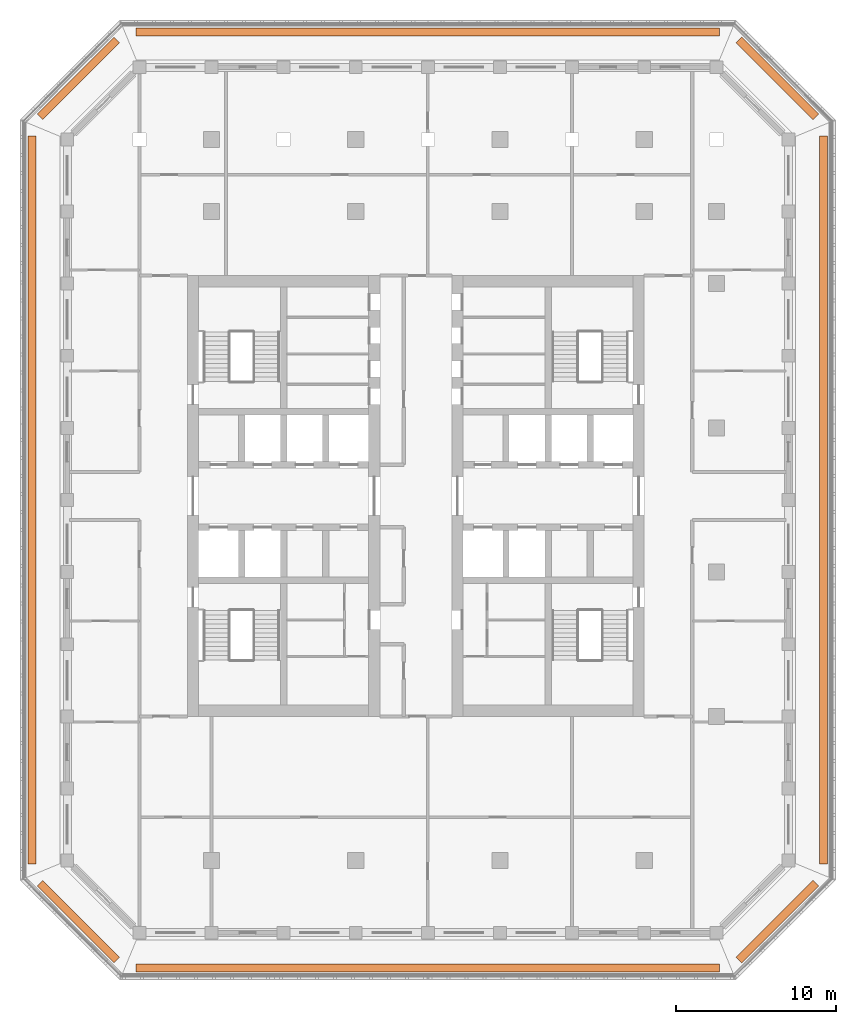
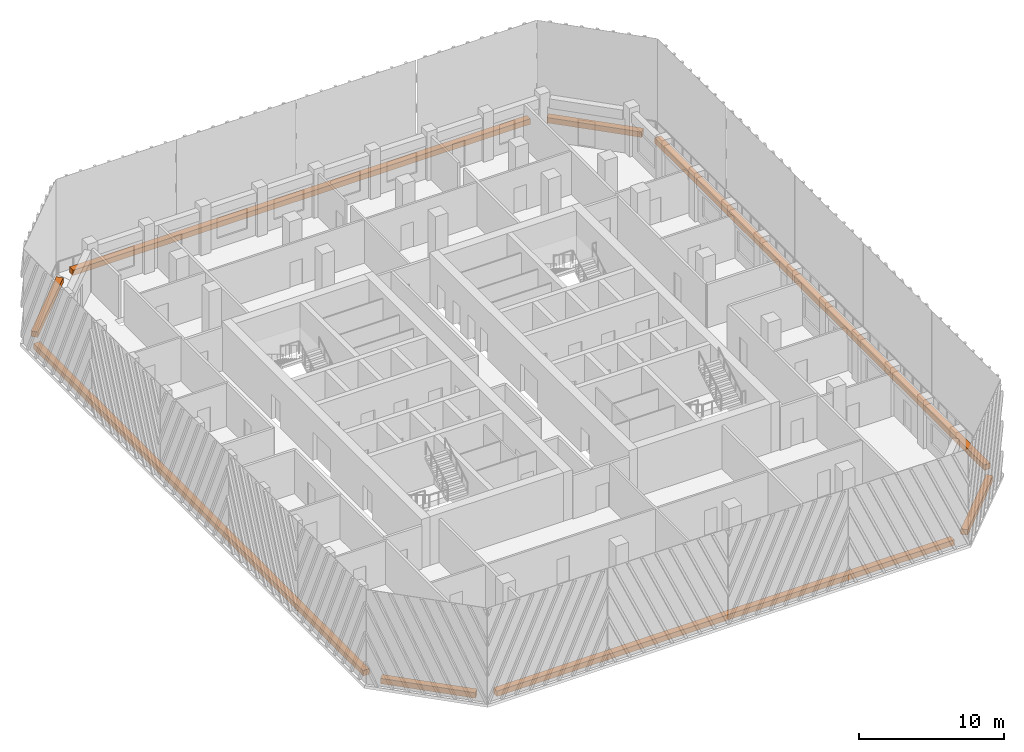
# One storey, part 17 of 17: 8 proxies.
"""IFC4 building model written with IfcOpenShell, lengths in metres."""

import ifcopenshell
import ifcopenshell.guid

model = None  # the IFC model being written
_history = None  # IfcOwnerHistory: only IFC2X3 demands one
_inside = {}  # id of a spatial element -> (the spatial element, [elements in it])
_under = {}  # id of a project, library or spatial element -> (it, [spatial elements below it])
_declared = {}  # id of a project -> (the project, [libraries it declares])
_typed = {}  # id of a type object -> (the type object, [elements of that type])
_made_of = {}  # id of a material, layer set ... -> (it, [elements and type objects made of it])


def new_model(schema):
    """Start an empty IFC model of exactly this schema.

    Asked for "IFC4X3", IfcOpenShell would pick the latest addendum, in which some entities
    have other attributes; the version numbers below select the first issue.
    IFC2X3 requires an IfcOwnerHistory on every rooted entity: one is made here for all.
    """
    global model, _history
    if schema == "IFC4X3":
        model = ifcopenshell.file(schema_version=(4, 3, 0, 0))
    else:
        model = ifcopenshell.file(schema=schema)
    _inside.clear()
    _under.clear()
    _declared.clear()
    _typed.clear()
    _made_of.clear()
    _history = None
    if model.schema == "IFC2X3":
        org = make("IfcOrganization", Name="unknown")
        user = make(
            "IfcPersonAndOrganization",
            ThePerson=make("IfcPerson", FamilyName="unknown"),
            TheOrganization=org,
        )
        app = make(
            "IfcApplication",
            ApplicationDeveloper=org,
            Version="unknown",
            ApplicationFullName="unknown",
            ApplicationIdentifier="unknown",
        )
        _history = make(
            "IfcOwnerHistory",
            OwningUser=user,
            OwningApplication=app,
            ChangeAction="ADDED",
            CreationDate=0,
        )
    return model


def make(cls, **values):
    """One entity of the class cls with the attributes given. An attribute that is None is left unset."""
    return model.create_entity(
        cls, **{name: value for name, value in values.items() if value is not None}
    )


def rooted(cls, **values):
    """An entity with a GlobalId (a new one), such as an element, a storey or a relation."""
    return make(cls, GlobalId=ifcopenshell.guid.new(), OwnerHistory=_history, **values)


def si_unit(unit_type, name, prefix=None):
    """IfcSIUnit, for example si_unit("LENGTHUNIT", "METRE", prefix="MILLI")."""
    return make("IfcSIUnit", UnitType=unit_type, Prefix=prefix, Name=name)


def assignment(units):
    """IfcUnitAssignment: the units of a project."""
    return None if units is None else make("IfcUnitAssignment", Units=units)


def point(xyz):
    """IfcCartesianPoint."""
    return None if xyz is None else make("IfcCartesianPoint", Coordinates=xyz)


def direction(xyz):
    """IfcDirection."""
    return None if xyz is None else make("IfcDirection", DirectionRatios=xyz)


def frame(location, z_axis=None, x_axis=None):
    """IfcAxis2Placement3D, a coordinate frame: its origin and axes. An axis left out is left unset."""
    return make(
        "IfcAxis2Placement3D",
        Location=point(location),
        Axis=direction(z_axis),
        RefDirection=direction(x_axis),
    )


def frame_2d(location, x_axis=None):
    """IfcAxis2Placement2D, a coordinate frame in the plane: its origin and x axis."""
    return make(
        "IfcAxis2Placement2D", Location=point(location), RefDirection=direction(x_axis)
    )


def origin():
    """The frame at (0, 0, 0) with its axes left unset."""
    return frame((0.0, 0.0, 0.0))


def origin_2d():
    """The frame at (0, 0) in the plane with its x axis left unset."""
    return frame_2d((0.0, 0.0))


def place(relative_to, where):
    """IfcLocalPlacement: puts the frame where relative to a parent placement (None: the world)."""
    return make(
        "IfcLocalPlacement", PlacementRelTo=relative_to, RelativePlacement=where
    )


def context(
    kind, dimensions, precision=None, world=None, true_north=None, identifier=None
):
    """IfcGeometricRepresentationContext, for example the 3D "Model" context."""
    return make(
        "IfcGeometricRepresentationContext",
        ContextIdentifier=identifier,
        ContextType=kind,
        CoordinateSpaceDimension=dimensions,
        Precision=precision,
        WorldCoordinateSystem=world,
        TrueNorth=true_north,
    )


def subcontext(parent, identifier, kind, view, scale=None):
    """IfcGeometricRepresentationSubContext, for example "Body" below "Model"."""
    return make(
        "IfcGeometricRepresentationSubContext",
        ContextIdentifier=identifier,
        ContextType=kind,
        ParentContext=parent,
        TargetScale=scale,
        TargetView=view,
    )


def project(units=None, contexts=None):
    """IfcProject with its units and contexts."""
    return rooted(
        "IfcProject",
        Name="project",
        RepresentationContexts=contexts,
        UnitsInContext=assignment(units),
    )


def spatial(cls, under=None, at=None, **own):
    """A site, building, storey or space (cls), placed at a placement, below another one or the project."""
    s = rooted(cls, ObjectPlacement=at, **own)
    if under is not None:
        _under.setdefault(under.id(), (under, []))[1].append(s)
    return s


def profile(cls, at=None, kind="AREA", **sizes):
    """A parametric profile (cls). Its sizes go by their IFC names, for example OverallWidth=200.0."""
    return make(cls, ProfileType=kind, Position=at, **sizes)


def rectangle(**sizes):
    """IfcRectangleProfileDef."""
    return profile("IfcRectangleProfileDef", **sizes)


def extrude(swept, where, along, depth):
    """IfcExtrudedAreaSolid: the profile swept, set in the frame where, extruded along a direction by depth."""
    return make(
        "IfcExtrudedAreaSolid",
        SweptArea=swept,
        Position=where,
        ExtrudedDirection=direction(along),
        Depth=depth,
    )


def shape(context_of_items, identifier, shape_type, items):
    """IfcShapeRepresentation: the items that make up one representation, for example the "Body"."""
    return make(
        "IfcShapeRepresentation",
        ContextOfItems=context_of_items,
        RepresentationIdentifier=identifier,
        RepresentationType=shape_type,
        Items=items,
    )


def material(Name=None, Category=None):
    """IfcMaterial."""
    return make("IfcMaterial", Name=Name, Category=Category)


def made_of(thing, what):
    """Note that an element or type object is made of a material, layer set ...; save() writes the relation."""
    if what is not None:
        _made_of.setdefault(what.id(), (what, []))[1].append(thing)
    return thing


def type_object(cls, material=None, **own):
    """A type object (cls), such as IfcWallType, which elements share."""
    return made_of(rooted(cls, **own), material)


def element(
    cls,
    number,
    at=None,
    inside=None,
    cuts=None,
    type_object=None,
    material=None,
    context=None,
    identifier="Body",
    shape_type=None,
    held_by="IfcProductDefinitionShape",
    body=None,
    shapes=None,
    **own,
):
    """One element of the class cls, such as IfcWall. Its Tag is "e" and its number.

    at: its placement. inside: the storey or other place that contains it. cuts: it is an
    opening in that element (IfcRelVoidsElement). A single representation is given by context,
    identifier, shape_type and body (its items); several are given by shapes. held_by: the class
    of the entity that holds the representations. save() writes the other relations.
    """
    e = rooted(cls, Tag="e%d" % number, ObjectPlacement=at, **own)
    if body is not None:
        shapes = [shape(context, identifier, shape_type, body)]
    if shapes is not None:
        e.Representation = make(held_by, Representations=shapes)
    if inside is not None:
        _inside.setdefault(inside.id(), (inside, []))[1].append(e)
    if cuts is not None:
        rooted(
            "IfcRelVoidsElement", RelatingBuildingElement=cuts, RelatedOpeningElement=e
        )
    if type_object is not None:
        _typed.setdefault(type_object.id(), (type_object, []))[1].append(e)
    return made_of(e, material)


def aggregate(whole, parts):
    """IfcRelAggregates: a whole, such as a stair, and the parts it consists of."""
    return rooted("IfcRelAggregates", RelatingObject=whole, RelatedObjects=parts)


def save(model, path):
    """Write the relations noted so far, then the file.

    IfcRelAggregates (storeys below a building ...), IfcRelContainedInSpatialStructure (elements
    in a storey), IfcRelDefinesByType, IfcRelAssociatesMaterial and IfcRelDeclares: one each for
    every whole, place, type object, material and project.
    """
    for whole, parts in _under.values():
        aggregate(whole, parts)
    for where, things in _inside.values():
        rooted(
            "IfcRelContainedInSpatialStructure",
            RelatedElements=things,
            RelatingStructure=where,
        )
    for kind, things in _typed.values():
        rooted("IfcRelDefinesByType", RelatedObjects=things, RelatingType=kind)
    for what, things in _made_of.values():
        rooted("IfcRelAssociatesMaterial", RelatedObjects=things, RelatingMaterial=what)
    for by, libraries in _declared.values():
        rooted("IfcRelDeclares", RelatingContext=by, RelatedDefinitions=libraries)
    model.write(path)


model = new_model("IFC4")

# Units and contexts
model_context = context("Model", 3, precision=1e-05, world=origin(), true_north=direction((0.0, 1.0)))
body_context = subcontext(model_context, "Body", "Model", "MODEL_VIEW")
ifc_project = project(units=[si_unit("LENGTHUNIT", "METRE"), si_unit("AREAUNIT", "SQUARE_METRE"), si_unit("VOLUMEUNIT", "CUBIC_METRE"), si_unit("PLANEANGLEUNIT", "RADIAN"), si_unit("MASSUNIT", "GRAM", prefix="KILO")], contexts=[model_context])

# Site, building, storey
site_placement = place(None, origin())
site = spatial("IfcSite", under=ifc_project, at=site_placement, CompositionType="ELEMENT")
building_placement = place(site_placement, origin())
building = spatial("IfcBuilding", under=site, at=building_placement, Name="Corbel Stack Research Tower", CompositionType="ELEMENT")
storey_placement = place(building_placement, frame((0.0, 0.0, 231.60009765625)))
storey = spatial("IfcBuildingStorey", under=building, at=storey_placement, Name="L52", CompositionType="ELEMENT", Elevation=231.60009765625)

# Proxies
ifc_material = material(Name="Concrete C45/55", Category="concrete")
building_element_proxy_type = type_object("IfcBuildingElementProxyType", Name="Planter box", PredefinedType="USERDEFINED", material=ifc_material)
proxy_1_placement = place(storey_placement, frame((4.5, -24.699951171875, 0.0), z_axis=(0.0, 0.0, 1.0), x_axis=(1.0, 0.0, 0.0)))
element("IfcBuildingElementProxy", 1, at=proxy_1_placement, inside=storey, type_object=building_element_proxy_type, Name="Planter L52 S", ObjectType="PLANTER", PredefinedType="USERDEFINED", context=body_context, shape_type="SweptSolid", body=[
    extrude(rectangle(XDim=36.41064453125, YDim=0.5, at=origin_2d()), origin(), (0.0, 0.0, 1.0), 0.449951171875),
])
proxy_2_placement = place(storey_placement, frame((26.3056640625, -21.8056640625, 0.0), z_axis=(0.0, 0.0, 1.0), x_axis=(0.707106781187, 0.707106781187, 0.0)))
element("IfcBuildingElementProxy", 2, at=proxy_2_placement, inside=storey, type_object=building_element_proxy_type, Name="Planter L52 SE", ObjectType="PLANTER", PredefinedType="USERDEFINED", context=body_context, shape_type="SweptSolid", body=[
    extrude(rectangle(XDim=6.774658203125, YDim=0.5, at=origin_2d()), origin(), (0.0, 0.0, 1.0), 0.449951171875),
])
proxy_3_placement = place(storey_placement, frame((29.199951171875, 4.5, 0.0), z_axis=(0.0, 0.0, 1.0), x_axis=(0.0, 1.0, 0.0)))
element("IfcBuildingElementProxy", 3, at=proxy_3_placement, inside=storey, type_object=building_element_proxy_type, Name="Planter L52 E", ObjectType="PLANTER", PredefinedType="USERDEFINED", context=body_context, shape_type="SweptSolid", body=[
    extrude(rectangle(XDim=45.41064453125, YDim=0.5, at=origin_2d()), origin(), (0.0, 0.0, 1.0), 0.449951171875),
])
proxy_4_placement = place(storey_placement, frame((26.3056640625, 30.8056640625, 0.0), z_axis=(0.0, 0.0, 1.0), x_axis=(-0.707106781187, 0.707106781187, 0.0)))
element("IfcBuildingElementProxy", 4, at=proxy_4_placement, inside=storey, type_object=building_element_proxy_type, Name="Planter L52 NE", ObjectType="PLANTER", PredefinedType="USERDEFINED", context=body_context, shape_type="SweptSolid", body=[
    extrude(rectangle(XDim=6.774658203125, YDim=0.5, at=origin_2d()), origin(), (0.0, 0.0, 1.0), 0.449951171875),
])
proxy_5_placement = place(storey_placement, frame((4.5, 33.699951171875, 0.0), z_axis=(0.0, 0.0, 1.0), x_axis=(-1.0, 0.0, 0.0)))
element("IfcBuildingElementProxy", 5, at=proxy_5_placement, inside=storey, type_object=building_element_proxy_type, Name="Planter L52 N", ObjectType="PLANTER", PredefinedType="USERDEFINED", context=body_context, shape_type="SweptSolid", body=[
    extrude(rectangle(XDim=36.41064453125, YDim=0.5, at=origin_2d()), origin(), (0.0, 0.0, 1.0), 0.449951171875),
])
proxy_6_placement = place(storey_placement, frame((-17.3056640625, 30.8056640625, 0.0), z_axis=(0.0, 0.0, 1.0), x_axis=(-0.707106781187, -0.707106781187, 0.0)))
element("IfcBuildingElementProxy", 6, at=proxy_6_placement, inside=storey, type_object=building_element_proxy_type, Name="Planter L52 NW", ObjectType="PLANTER", PredefinedType="USERDEFINED", context=body_context, shape_type="SweptSolid", body=[
    extrude(rectangle(XDim=6.774658203125, YDim=0.5, at=origin_2d()), origin(), (0.0, 0.0, 1.0), 0.449951171875),
])
proxy_7_placement = place(storey_placement, frame((-20.199951171875, 4.5, 0.0), z_axis=(0.0, 0.0, 1.0), x_axis=(0.0, -1.0, 0.0)))
element("IfcBuildingElementProxy", 7, at=proxy_7_placement, inside=storey, type_object=building_element_proxy_type, Name="Planter L52 W", ObjectType="PLANTER", PredefinedType="USERDEFINED", context=body_context, shape_type="SweptSolid", body=[
    extrude(rectangle(XDim=45.41064453125, YDim=0.5, at=origin_2d()), origin(), (0.0, 0.0, 1.0), 0.449951171875),
])
proxy_8_placement = place(storey_placement, frame((-17.3056640625, -21.8056640625, 0.0), z_axis=(0.0, 0.0, 1.0), x_axis=(0.707106781187, -0.707106781187, 0.0)))
element("IfcBuildingElementProxy", 8, at=proxy_8_placement, inside=storey, type_object=building_element_proxy_type, Name="Planter L52 SW", ObjectType="PLANTER", PredefinedType="USERDEFINED", context=body_context, shape_type="SweptSolid", body=[
    extrude(rectangle(XDim=6.774658203125, YDim=0.5, at=origin_2d()), origin(), (0.0, 0.0, 1.0), 0.449951171875),
])

save(model, "model.ifc")
